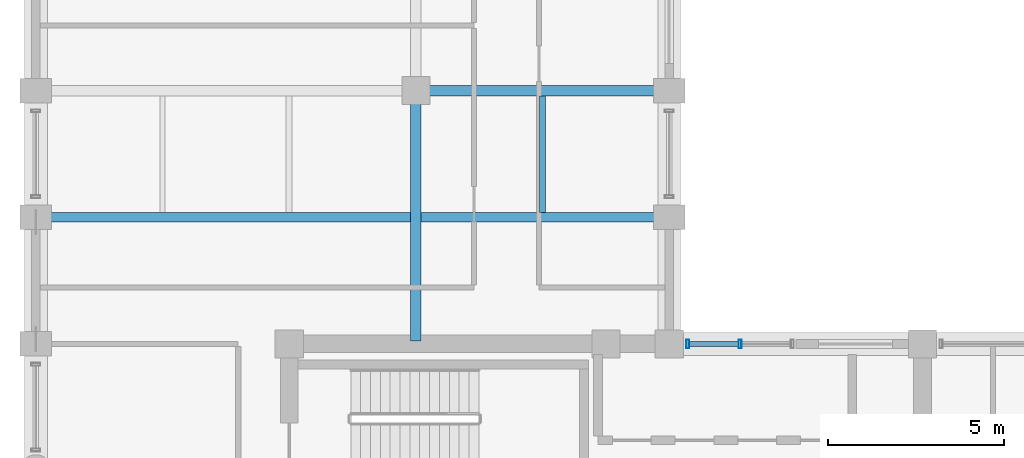
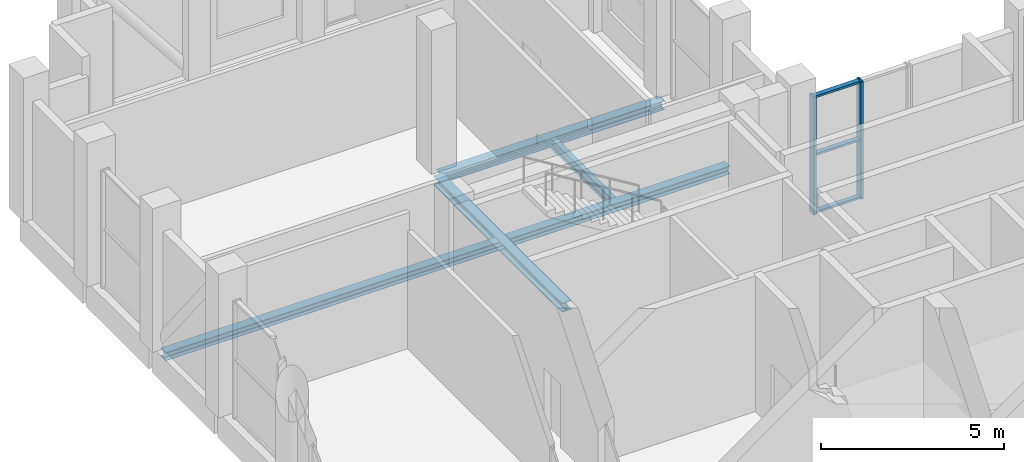
# One storey, part 6 of 16: 5 members, 4 beams, 1 element without a shape of its own.
"""IFC4 building model written with IfcOpenShell, lengths in metres."""

from ifc_helpers import new_model, si_unit, direction, frame, origin, origin_2d, place, context, subcontext, project, spatial, hollow_rectangle, i_section, extrude, material, layer, layer_set, material_profile, profile_set, type_object, element, aggregate, save


model = new_model("IFC4")

# Units and contexts
model_context = context("Model", 3, precision=1e-05, world=origin(), true_north=direction((0.0, 1.0)))
body_context = subcontext(model_context, "Body", "Model", "MODEL_VIEW")
ifc_project = project(units=[si_unit("LENGTHUNIT", "METRE"), si_unit("AREAUNIT", "SQUARE_METRE"), si_unit("VOLUMEUNIT", "CUBIC_METRE"), si_unit("PLANEANGLEUNIT", "RADIAN"), si_unit("MASSUNIT", "GRAM", prefix="KILO")], contexts=[model_context])

# Site, building, storey
site_placement = place(None, origin())
site = spatial("IfcSite", under=ifc_project, at=site_placement, CompositionType="ELEMENT")
building_placement = place(site_placement, origin())
building = spatial("IfcBuilding", under=site, at=building_placement, Name="Solnavia Interchange Tower", CompositionType="ELEMENT")
storey_placement = place(building_placement, frame((0.0, 0.0, 209.0)))
storey = spatial("IfcBuildingStorey", under=building, at=storey_placement, Name="L52", CompositionType="ELEMENT", Elevation=209.0)

# Beams
ifc_material_1 = material(Name="Steel S460", Category="steel")
ifc_material_profile_1 = material_profile(ifc_material_1, i_section(OverallWidth=0.300048828125, OverallDepth=0.300048828125, WebThickness=0.010986328125, FlangeThickness=0.01904296875, FilletRadius=0.027099609375, at=origin_2d()), Name="HEB 300")
ifc_profile_set_1 = profile_set([ifc_material_profile_1], Name="Steel S460")
beam_type_1 = type_object("IfcBeamType", Name="Beam-Girder-HEB300", PredefinedType="BEAM", material=ifc_profile_set_1)
for number, where, z_axis, x_axis, name in (
    (1, (18.0, 25.280029296875, -0.469970703125), (0.0, 1.0, 0.0), (-1.0, 0.0, 0.0), "GRD-L52-NS07 North wing spine girder"),
    (2, (18.080078125, 32.39990234375, -0.469970703125), (1.0, 0.0, 0.0), (0.0, 1.0, 0.0), "GRD-L52-NW11 North wing primary floor girder"),
):
    element("IfcBeam", number, at=place(storey_placement, frame(where, z_axis=z_axis, x_axis=x_axis)), inside=storey, type_object=beam_type_1, Name=name, PredefinedType="BEAM", context=body_context, shape_type="SweptSolid", body=[
        extrude(i_section(OverallWidth=0.300048828125, OverallDepth=0.300048828125, WebThickness=0.010986328125, FlangeThickness=0.01904296875, FilletRadius=0.027099609375, at=origin_2d()), origin(), (0.0, 0.0, 1.0), 7.0400390625),
    ])
ifc_material_2 = material(Name="Steel S355", Category="steel")
ifc_material_profile_2 = material_profile(ifc_material_2, i_section(OverallWidth=0.159912109375, OverallDepth=0.330078125, WebThickness=0.007568359375, FlangeThickness=0.011474609375, FilletRadius=0.01806640625, at=origin_2d()), Name="IPE 330")
ifc_profile_set_2 = profile_set([ifc_material_profile_2], Name="Steel S355")
beam_type_2 = type_object("IfcBeamType", Name="Beam-Joist-IPE330", PredefinedType="JOIST", material=ifc_profile_set_2)
beam_1_placement = place(storey_placement, frame((21.60009765625, 28.93994140625, -0.485107421875), z_axis=(0.0, 1.0, 0.0), x_axis=(-1.0, 0.0, 0.0)))
element("IfcBeam", 3, at=beam_1_placement, inside=storey, type_object=beam_type_2, Name="JST-L52-N11 North wing secondary joist", PredefinedType="JOIST", context=body_context, shape_type="SweptSolid", body=[
    extrude(i_section(OverallWidth=0.159912109375, OverallDepth=0.330078125, WebThickness=0.007568359375, FlangeThickness=0.011474609375, FilletRadius=0.01806640625, at=origin_2d()), origin(), (0.0, 0.0, 1.0), 3.31005859375),
])
ifc_material_profile_3 = material_profile(ifc_material_2, i_section(OverallWidth=0.280029296875, OverallDepth=0.27001953125, WebThickness=0.008056640625, FlangeThickness=0.012939453125, FilletRadius=0.02392578125, at=origin_2d()), Name="HEA 280")
ifc_profile_set_3 = profile_set([ifc_material_profile_3], Name="Steel S355")
beam_type_3 = type_object("IfcBeamType", Name="Beam-Primary-HEA280", PredefinedType="BEAM", material=ifc_profile_set_3)
beam_2_placement = place(storey_placement, frame((7.280029296875, 28.800048828125, -0.455078125), z_axis=(1.0, 0.0, 0.0), x_axis=(0.0, 1.0, 0.0)))
element("IfcBeam", 4, at=beam_2_placement, inside=storey, type_object=beam_type_3, Name="GRD-L52-NW09 North wing primary floor girder", PredefinedType="BEAM", context=body_context, shape_type="SweptSolid", body=[
    extrude(i_section(OverallWidth=0.280029296875, OverallDepth=0.27001953125, WebThickness=0.008056640625, FlangeThickness=0.012939453125, FilletRadius=0.02392578125, at=origin_2d()), origin(), (0.0, 0.0, 1.0), 17.840087890625),
])

# Curtain wall, members
ifc_material_3 = material(Name="Aluminium Alloy 6063-T6", Category="aluminium")
ifc_layer = layer(ifc_material_3, 0.27001953125)
ifc_layer_set = layer_set([ifc_layer], Name="Aluminium Alloy 6063-T6")
curtain_wall_type = type_object("IfcCurtainWallType", Name="CurtainWall-SkyLobby-CTW4", PredefinedType="NOTDEFINED", material=ifc_layer_set)
curtain_wall_placement = place(storey_placement, origin())
curtain_wall = element("IfcCurtainWall", 5, at=curtain_wall_placement, inside=storey, type_object=curtain_wall_type, Name="CTW-L52-S26 CTW-4 curtain wall", PredefinedType="NOTDEFINED")
ifc_material_profile_4 = material_profile(ifc_material_3, hollow_rectangle(XDim=0.080078125, YDim=0.25, WallThickness=0.006103515625, at=origin_2d()), Name="ALU 250x80x6")
ifc_profile_set_4 = profile_set([ifc_material_profile_4], Name="Aluminium Alloy 6063-T6")
member_type_1 = type_object("IfcMemberType", Name="CW-Mullion-CWM-4", PredefinedType="MULLION", material=ifc_profile_set_4)
member_1_placement = place(storey_placement, frame((27.215087890625, 25.199951171875, 0.0), z_axis=(0.0, 0.0, 1.0), x_axis=(-1.0, 0.0, 0.0)))
member_1 = element("IfcMember", 6, at=member_1_placement, type_object=member_type_1, Name="CTW-4 mullion 2", PredefinedType="MULLION", context=body_context, shape_type="SweptSolid", body=[
    extrude(hollow_rectangle(XDim=0.080078125, YDim=0.25, WallThickness=0.006103515625, at=origin_2d()), origin(), (0.0, 0.0, 1.0), 3.929931640625),
])
member_2_placement = place(storey_placement, frame((25.72998046875, 25.199951171875, 0.0), z_axis=(0.0, 0.0, 1.0), x_axis=(-1.0, 0.0, 0.0)))
member_2 = element("IfcMember", 7, at=member_2_placement, type_object=member_type_1, Name="CTW-4 mullion 3", PredefinedType="MULLION", context=body_context, shape_type="SweptSolid", body=[
    extrude(hollow_rectangle(XDim=0.080078125, YDim=0.25, WallThickness=0.006103515625, at=origin_2d()), origin(), (0.0, 0.0, 1.0), 3.929931640625),
])
ifc_material_profile_5 = material_profile(ifc_material_3, hollow_rectangle(XDim=0.070068359375, YDim=0.14990234375, WallThickness=0.00439453125, at=origin_2d()), Name="ALU 150x70x4.5")
ifc_profile_set_5 = profile_set([ifc_material_profile_5], Name="Aluminium Alloy 6063-T6")
member_type_2 = type_object("IfcMemberType", Name="CW-Transom-CWT-4", PredefinedType="USERDEFINED", material=ifc_profile_set_5)
member_3_placement = place(storey_placement, frame((27.175048828125, 25.199951171875, 0.034912109375), z_axis=(-1.0, 0.0, 0.0), x_axis=(0.0, 0.0, 1.0)))
member_3 = element("IfcMember", 8, at=member_3_placement, type_object=member_type_2, Name="CTW-4 transom 2.1", ObjectType="TRANSOM", PredefinedType="USERDEFINED", context=body_context, shape_type="SweptSolid", body=[
    extrude(hollow_rectangle(XDim=0.070068359375, YDim=0.14990234375, WallThickness=0.00439453125, at=origin_2d()), origin(), (0.0, 0.0, 1.0), 1.405029296875),
])
member_4_placement = place(storey_placement, frame((27.175048828125, 25.199951171875, 1.965087890625), z_axis=(-1.0, 0.0, 0.0), x_axis=(0.0, 0.0, 1.0)))
member_4 = element("IfcMember", 9, at=member_4_placement, type_object=member_type_2, Name="CTW-4 transom 2.2", ObjectType="TRANSOM", PredefinedType="USERDEFINED", context=body_context, shape_type="SweptSolid", body=[
    extrude(hollow_rectangle(XDim=0.070068359375, YDim=0.14990234375, WallThickness=0.00439453125, at=origin_2d()), origin(), (0.0, 0.0, 1.0), 1.405029296875),
])
member_5_placement = place(storey_placement, frame((27.175048828125, 25.199951171875, 3.89501953125), z_axis=(-1.0, 0.0, 0.0), x_axis=(0.0, 0.0, 1.0)))
member_5 = element("IfcMember", 10, at=member_5_placement, type_object=member_type_2, Name="CTW-4 transom 2.3", ObjectType="TRANSOM", PredefinedType="USERDEFINED", context=body_context, shape_type="SweptSolid", body=[
    extrude(hollow_rectangle(XDim=0.070068359375, YDim=0.14990234375, WallThickness=0.00439453125, at=origin_2d()), origin(), (0.0, 0.0, 1.0), 1.405029296875),
])
aggregate(curtain_wall, [member_1, member_2, member_3, member_4, member_5])

save(model, "model.ifc")
